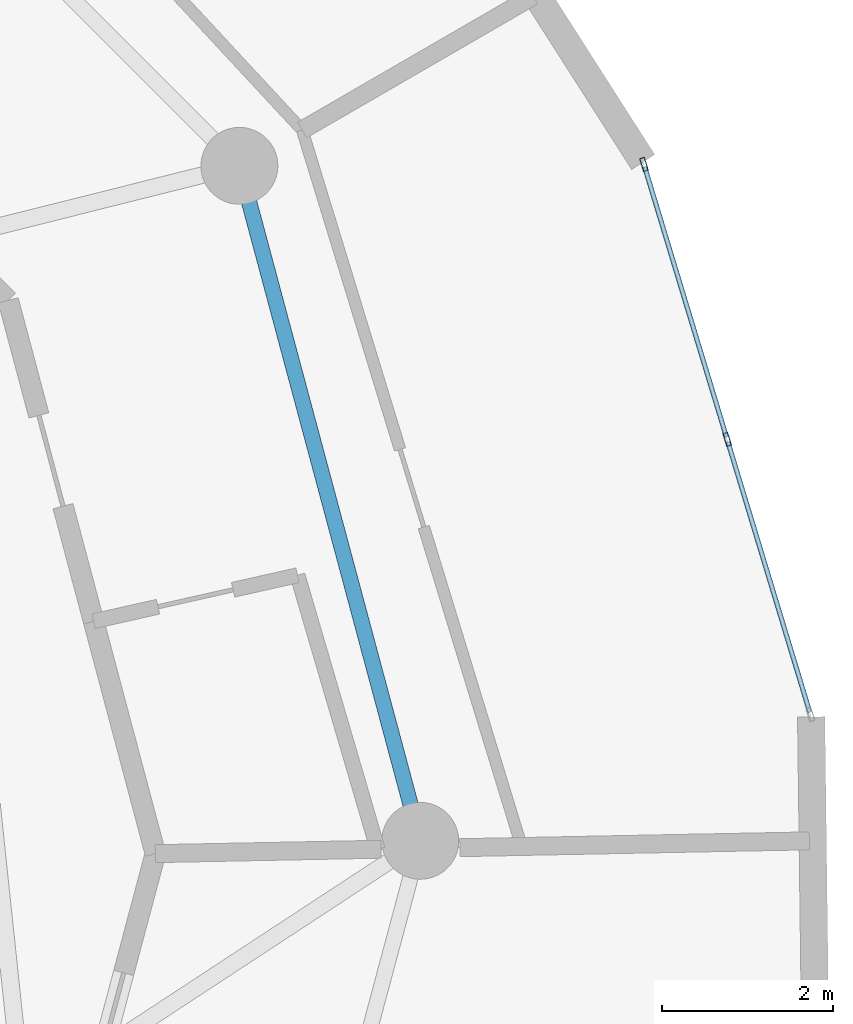
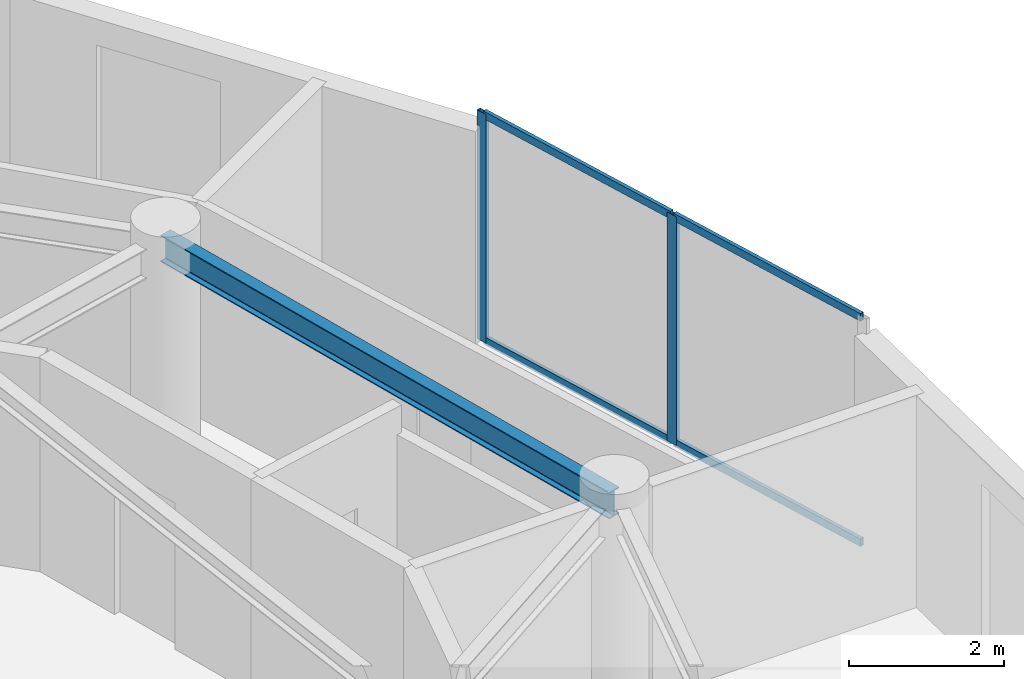
# One storey, part 11 of 21: 6 members, 1 beam, 1 element without a shape of its own.
"""IFC4 building model written with IfcOpenShell, lengths in metres."""

from ifc_helpers import new_model, si_unit, direction, frame, origin, origin_2d, place, context, subcontext, project, spatial, hollow_rectangle, i_section, extrude, source, transform, mapped, material, layer, layer_set, material_profile, profile_set, type_object, element, aggregate, save


model = new_model("IFC4")

# Units and contexts
model_context = context("Model", 3, precision=1e-05, world=origin(), true_north=direction((0.0, 1.0)))
body_context = subcontext(model_context, "Body", "Model", "MODEL_VIEW")
ifc_project = project(units=[si_unit("LENGTHUNIT", "METRE"), si_unit("AREAUNIT", "SQUARE_METRE"), si_unit("VOLUMEUNIT", "CUBIC_METRE"), si_unit("PLANEANGLEUNIT", "RADIAN"), si_unit("MASSUNIT", "GRAM", prefix="KILO")], contexts=[model_context])

# Site, building, storey
site_placement = place(None, origin())
site = spatial("IfcSite", under=ifc_project, at=site_placement, CompositionType="ELEMENT")
building_placement = place(site_placement, origin())
building = spatial("IfcBuilding", under=site, at=building_placement, Name="Solvirekh Grand Hotel", CompositionType="ELEMENT")
storey_placement = place(building_placement, frame((0.0, 0.0, 205.60009765625)))
storey = spatial("IfcBuildingStorey", under=building, at=storey_placement, Name="L53", CompositionType="ELEMENT", Elevation=205.60009765625)

# Beam
ifc_material_1 = material(Name="Steel S355", Category="steel")
ifc_material_profile_1 = material_profile(ifc_material_1, i_section(OverallWidth=0.180908203125, OverallDepth=0.4169921875, WebThickness=0.010009765625, FlangeThickness=0.01611328125, FilletRadius=0.011962890625, at=origin_2d()), Name="W410X85")
ifc_profile_set_1 = profile_set([ifc_material_profile_1], Name="Steel S355")
beam_type = type_object("IfcBeamType", Name="Spandrel_Ring_W410", PredefinedType="SPANDREL", material=ifc_profile_set_1)
beam_placement = place(storey_placement, frame((15.800048828125, 0.0, 3.15185546875), z_axis=(-0.258838541915, 0.965920601923, 0.0), x_axis=(-0.965920601923, -0.258838541915, 0.0)))
element("IfcBeam", 1, at=beam_placement, inside=storey, type_object=beam_type, Name="L53 perimeter spandrel beam 1", PredefinedType="SPANDREL", context=body_context, shape_type="SweptSolid", body=[
    extrude(i_section(OverallWidth=0.180908203125, OverallDepth=0.4169921875, WebThickness=0.010009765625, FlangeThickness=0.01611328125, FilletRadius=0.011962890625, at=origin_2d()), origin(), (0.0, 0.0, 1.0), 8.1787109375),
])

# Curtain wall, members
ifc_material_2 = material(Name="Anodized Bronze Aluminium 6063-T6", Category="aluminium")
ifc_layer = layer(ifc_material_2, 0.159912109375)
ifc_layer_set = layer_set([ifc_layer], Name="Anodized Bronze Aluminium 6063-T6")
curtain_wall_type = type_object("IfcCurtainWallType", Name="CW_Sys4_HighZoneFlushBronzeCW", PredefinedType="NOTDEFINED", material=ifc_layer_set)
curtain_wall_placement = place(storey_placement, origin())
curtain_wall = element("IfcCurtainWall", 2, at=curtain_wall_placement, inside=storey, type_object=curtain_wall_type, Name="L53 unitised bronze-glass curtain wall CW-L53-C05", PredefinedType="NOTDEFINED")
ifc_material_profile_2 = material_profile(ifc_material_2, hollow_rectangle(XDim=0.054931640625, YDim=0.1201171875, WallThickness=0.00390625, at=origin_2d()), Name="ALU RHS 120X55X4")
ifc_profile_set_2 = profile_set([ifc_material_profile_2], Name="Anodized Bronze Aluminium 6063-T6")
member_type_1 = type_object("IfcMemberType", Name="CWTransom_Sys4", PredefinedType="USERDEFINED", material=ifc_profile_set_2)
shared_shape_1 = source(origin(), body_context, "Body", "SweptSolid", [
    extrude(hollow_rectangle(XDim=0.054931640625, YDim=0.1201171875, WallThickness=0.00390625, at=origin_2d()), origin(), (0.0, 0.0, 1.0), 3.302490234375),
])
member_1_placement = place(storey_placement, frame((19.38330078125, 4.726806640625, 0.02734375), z_axis=(-0.289781698601, 0.957092768312, 0.0), x_axis=(-0.957092768312, -0.289781698601, 0.0)))
member_1 = element("IfcMember", 3, at=member_1_placement, type_object=member_type_1, Name="U04 transom 2.1", ObjectType="TRANSOM", PredefinedType="USERDEFINED", context=body_context, shape_type="MappedRepresentation", body=[
    mapped(shared_shape_1, transform((0.0, 0.0, 0.0), x_axis=(1.0, 0.0, 0.0), y_axis=(0.0, 1.0, 0.0), z_axis=(0.0, 0.0, 1.0), scale=1.0)),
])
member_2_placement = place(storey_placement, frame((19.38330078125, 4.726806640625, 3.572509765625), z_axis=(-0.289781698601, 0.957092768312, 0.0), x_axis=(-0.957092768312, -0.289781698601, 0.0)))
member_2 = element("IfcMember", 4, at=member_2_placement, type_object=member_type_1, Name="U04 transom 2.2", ObjectType="TRANSOM", PredefinedType="USERDEFINED", context=body_context, shape_type="MappedRepresentation", body=[
    mapped(shared_shape_1, transform((0.0, 0.0, 0.0), x_axis=(1.0, 0.0, 0.0), y_axis=(0.0, 1.0, 0.0), z_axis=(0.0, 0.0, 1.0), scale=1.0)),
])
ifc_material_profile_3 = material_profile(ifc_material_2, hollow_rectangle(XDim=0.06005859375, YDim=0.159912109375, WallThickness=0.0048828125, at=origin_2d()), Name="ALU RHS 160X60X5")
ifc_profile_set_3 = profile_set([ifc_material_profile_3], Name="Anodized Bronze Aluminium 6063-T6")
member_type_2 = type_object("IfcMemberType", Name="CWMullion_Sys4", PredefinedType="MULLION", material=ifc_profile_set_3)
shared_shape_2 = source(origin(), body_context, "Body", "SweptSolid", [
    extrude(hollow_rectangle(XDim=0.06005859375, YDim=0.159912109375, WallThickness=0.0048828125, at=origin_2d()), origin(), (0.0, 0.0, 1.0), 3.599853515625),
])
member_3_placement = place(storey_placement, frame((19.39208984375, 4.697998046875, 0.0), z_axis=(0.0, 0.0, 1.0), x_axis=(-0.957101222876, -0.289753773349, 0.0)))
member_3 = element("IfcMember", 5, at=member_3_placement, type_object=member_type_2, Name="U04 mullion 2", PredefinedType="MULLION", context=body_context, shape_type="MappedRepresentation", body=[
    mapped(shared_shape_2, transform((0.0, 0.0, 0.0), x_axis=(1.0, 0.0, 0.0), y_axis=(0.0, 1.0, 0.0), z_axis=(0.0, 0.0, 1.0), scale=1.0)),
])
member_4_placement = place(storey_placement, frame((18.417724609375, 7.916259765625, 0.0), z_axis=(0.0, 0.0, 1.0), x_axis=(-0.957101222876, -0.289753773349, 0.0)))
member_4 = element("IfcMember", 6, at=member_4_placement, type_object=member_type_2, Name="U04 mullion 3", PredefinedType="MULLION", context=body_context, shape_type="MappedRepresentation", body=[
    mapped(shared_shape_2, transform((0.0, 0.0, 0.0), x_axis=(1.0, 0.0, 0.0), y_axis=(0.0, 1.0, 0.0), z_axis=(0.0, 0.0, 1.0), scale=1.0)),
])
shared_shape_3 = source(origin(), body_context, "Body", "SweptSolid", [
    extrude(hollow_rectangle(XDim=0.054931640625, YDim=0.1201171875, WallThickness=0.00390625, at=origin_2d()), origin(), (0.0, 0.0, 1.0), 3.30224609375),
])
member_5_placement = place(storey_placement, frame((20.357666015625, 1.508544921875, 0.02734375), z_axis=(-0.289802202629, 0.95708656001, 0.0), x_axis=(-0.95708656001, -0.289802202629, 0.0)))
member_5 = element("IfcMember", 7, at=member_5_placement, type_object=member_type_1, Name="U04 transom 1.1", ObjectType="TRANSOM", PredefinedType="USERDEFINED", context=body_context, shape_type="MappedRepresentation", body=[
    mapped(shared_shape_3, transform((0.0, 0.0, 0.0), x_axis=(1.0, 0.0, 0.0), y_axis=(0.0, 1.0, 0.0), z_axis=(0.0, 0.0, 1.0), scale=1.0)),
])
member_6_placement = place(storey_placement, frame((20.357666015625, 1.508544921875, 3.572509765625), z_axis=(-0.289802202629, 0.95708656001, 0.0), x_axis=(-0.95708656001, -0.289802202629, 0.0)))
member_6 = element("IfcMember", 8, at=member_6_placement, type_object=member_type_1, Name="U04 transom 1.2", ObjectType="TRANSOM", PredefinedType="USERDEFINED", context=body_context, shape_type="MappedRepresentation", body=[
    mapped(shared_shape_3, transform((0.0, 0.0, 0.0), x_axis=(1.0, 0.0, 0.0), y_axis=(0.0, 1.0, 0.0), z_axis=(0.0, 0.0, 1.0), scale=1.0)),
])
aggregate(curtain_wall, [member_3, member_4, member_5, member_6, member_1, member_2])

save(model, "model.ifc")
